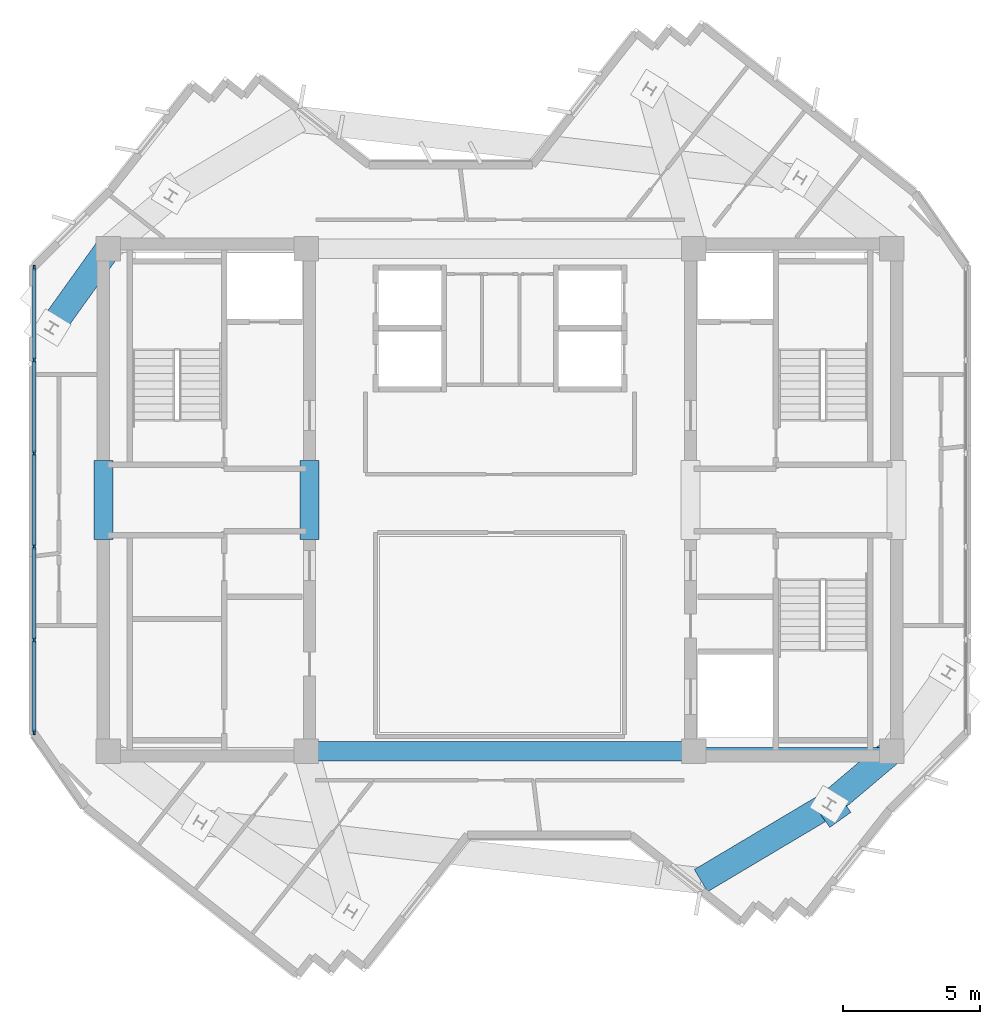
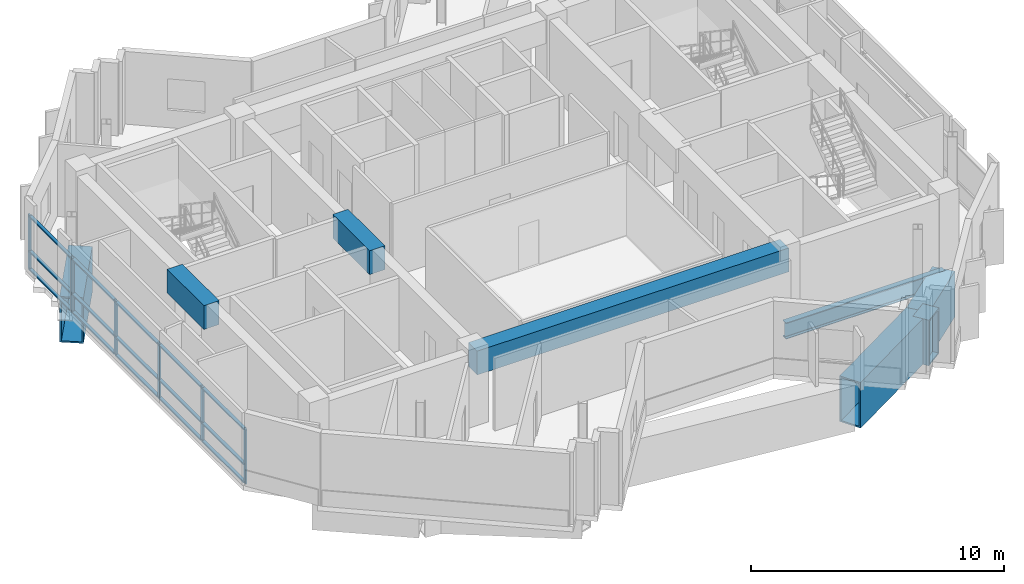
# One storey, part 2 of 10: 21 members, 8 beams, 1 element without a shape of its own.
"""IFC4 building model written with IfcOpenShell, lengths in metres."""

from ifc_helpers import new_model, si_unit, direction, frame, origin, origin_2d, place, context, subcontext, project, spatial, rectangle, hollow_rectangle, i_section, extrude, source, transform, mapped, material, layer, layer_set, material_profile, profile_set, type_object, element, aggregate, save


model = new_model("IFC4")

# Units and contexts
model_context = context("Model", 3, precision=1e-05, world=origin(), true_north=direction((0.0, 1.0)))
body_context = subcontext(model_context, "Body", "Model", "MODEL_VIEW")
ifc_project = project(units=[si_unit("LENGTHUNIT", "METRE"), si_unit("AREAUNIT", "SQUARE_METRE"), si_unit("VOLUMEUNIT", "CUBIC_METRE"), si_unit("PLANEANGLEUNIT", "RADIAN"), si_unit("MASSUNIT", "GRAM", prefix="KILO")], contexts=[model_context])

# Site, building, storey
site_placement = place(None, origin())
site = spatial("IfcSite", under=ifc_project, at=site_placement, CompositionType="ELEMENT")
building_placement = place(site_placement, origin())
building = spatial("IfcBuilding", under=site, at=building_placement, Name="Zahravan Cultural Tower", CompositionType="ELEMENT")
storey_placement = place(building_placement, frame((0.0, 0.0, 319.800048828125)))
storey = spatial("IfcBuildingStorey", under=building, at=storey_placement, Name="L77", CompositionType="ELEMENT", Elevation=319.800048828125)

# Beams
ifc_material_1 = material(Name="Concrete C50/60", Category="concrete")
ifc_material_profile_1 = material_profile(ifc_material_1, rectangle(XDim=0.699951171875, YDim=1.14990234375, at=origin_2d()), Name="RC700X1150")
ifc_profile_set_1 = profile_set([ifc_material_profile_1], Name="Concrete C50/60")
beam_type_1 = type_object("IfcBeamType", Name="BM-LN-RC700X1150", PredefinedType="LINTEL", material=ifc_profile_set_1)
shared_shape_1 = source(origin(), body_context, "Body", "SweptSolid", [
    extrude(rectangle(XDim=0.699951171875, YDim=1.14990234375, at=origin_2d()), origin(), (0.0, 0.0, 1.0), 14.2001953125),
])
beam_1_placement = place(storey_placement, frame((28.89990234375, 17.800048828125, 2.925048828125), z_axis=(1.0, 0.0, 0.0), x_axis=(0.0, 1.0, 0.0)))
element("IfcBeam", 1, at=beam_1_placement, inside=storey, type_object=beam_type_1, Name="L77 Beam LN-L77-S", PredefinedType="LINTEL", context=body_context, shape_type="MappedRepresentation", body=[
    mapped(shared_shape_1, transform((0.0, 0.0, 0.0), x_axis=(1.0, 0.0, 0.0), y_axis=(0.0, 1.0, 0.0), z_axis=(0.0, 0.0, 1.0), scale=1.0)),
])
shared_shape_2 = source(origin(), body_context, "Body", "SweptSolid", [
    extrude(rectangle(XDim=0.699951171875, YDim=1.14990234375, at=origin_2d()), origin(), (0.0, 0.0, 1.0), 2.89990234375),
])
for number, where, z_axis, x_axis, name in (
    (2, (21.47509765625, 25.550048828125, 2.925048828125), (0.0, 1.0, 0.0), (-1.0, 0.0, 0.0), "L77 Beam LN-L77-PWW"),
    (3, (29.02490234375, 25.550048828125, 2.925048828125), (0.0, 1.0, 0.0), (-1.0, 0.0, 0.0), "L77 Beam LN-L77-PWE"),
):
    element("IfcBeam", number, at=place(storey_placement, frame(where, z_axis=z_axis, x_axis=x_axis)), inside=storey, type_object=beam_type_1, Name=name, PredefinedType="LINTEL", context=body_context, shape_type="MappedRepresentation", body=[
        mapped(shared_shape_2, transform((0.0, 0.0, 0.0), x_axis=(1.0, 0.0, 0.0), y_axis=(0.0, 1.0, 0.0), z_axis=(0.0, 0.0, 1.0), scale=1.0)),
    ])
ifc_material_2 = material(Name="Steel ASTM A992 Grade 50", Category="steel")
ifc_material_profile_2 = material_profile(ifc_material_2, i_section(OverallWidth=0.26611328125, OverallDepth=0.780029296875, WebThickness=0.0166015625, FlangeThickness=0.030029296875, FilletRadius=0.01904296875, at=origin_2d()), Name="W30X148")
ifc_profile_set_2 = profile_set([ifc_material_profile_2], Name="Steel ASTM A992 Grade 50")
beam_type_2 = type_object("IfcBeamType", Name="BM-G-W30X148", PredefinedType="BEAM", material=ifc_profile_set_2)
shared_shape_3 = source(origin(), body_context, "Body", "SweptSolid", [
    extrude(i_section(OverallWidth=0.26611328125, OverallDepth=0.780029296875, WebThickness=0.0166015625, FlangeThickness=0.030029296875, FilletRadius=0.01904296875, at=origin_2d()), origin(), (0.0, 0.0, 1.0), 7.25),
])
beam_2_placement = place(storey_placement, frame((43.10009765625, 17.800048828125, -0.64013671875), z_axis=(1.0, 0.0, 0.0), x_axis=(0.0, 1.0, 0.0)))
element("IfcBeam", 4, at=beam_2_placement, inside=storey, type_object=beam_type_2, Name="L77 Beam BG-L77-04", PredefinedType="BEAM", context=body_context, shape_type="MappedRepresentation", body=[
    mapped(shared_shape_3, transform((0.0, 0.0, 0.0), x_axis=(1.0, 0.0, 0.0), y_axis=(0.0, 1.0, 0.0), z_axis=(0.0, 0.0, 1.0), scale=1.0)),
])
ifc_material_3 = material(Name="Steel ASTM A572 Grade 50", Category="steel")
ifc_material_profile_3 = material_profile(ifc_material_3, hollow_rectangle(XDim=0.949951171875, YDim=2.199951171875, WallThickness=0.070068359375, at=origin_2d()), Name="BOX2200X950X70")
ifc_profile_set_3 = profile_set([ifc_material_profile_3], Name="Steel ASTM A572 Grade 50")
beam_type_3 = type_object("IfcBeamType", Name="BM-TR-BOX2200", PredefinedType="BEAM", material=ifc_profile_set_3)
shared_shape_4 = source(origin(), body_context, "Body", "SweptSolid", [
    extrude(hollow_rectangle(XDim=0.949951171875, YDim=2.199951171875, WallThickness=0.070068359375, at=origin_2d()), origin(), (0.0, 0.0, 1.0), 3.00537109375),
])
beam_3_placement = place(storey_placement, frame((50.35009765625, 17.800048828125, -1.35009765625), z_axis=(-0.763546494847, -0.645752855361, 0.0), x_axis=(0.645752855361, -0.763546494847, 0.0)))
element("IfcBeam", 5, at=beam_3_placement, inside=storey, type_object=beam_type_3, Name="L77 Beam TB-L77-13", PredefinedType="BEAM", context=body_context, shape_type="MappedRepresentation", body=[
    mapped(shared_shape_4, transform((0.0, 0.0, 0.0), x_axis=(1.0, 0.0, 0.0), y_axis=(0.0, 1.0, 0.0), z_axis=(0.0, 0.0, 1.0), scale=1.0)),
])
shared_shape_5 = source(origin(), body_context, "Body", "SweptSolid", [
    extrude(hollow_rectangle(XDim=0.949951171875, YDim=2.199951171875, WallThickness=0.070068359375, at=origin_2d()), origin(), (0.0, 0.0, 1.0), 0.701171875),
])
beam_4_placement = place(storey_placement, frame((48.055419921875, 15.859375, -1.35009765625), z_axis=(0.582192994822, -0.81305062375, 0.0), x_axis=(0.81305062375, 0.582192994822, 0.0)))
element("IfcBeam", 6, at=beam_4_placement, inside=storey, type_object=beam_type_3, Name="L77 Beam TB-L77-14", PredefinedType="BEAM", context=body_context, shape_type="MappedRepresentation", body=[
    mapped(shared_shape_5, transform((0.0, 0.0, 0.0), x_axis=(1.0, 0.0, 0.0), y_axis=(0.0, 1.0, 0.0), z_axis=(0.0, 0.0, 1.0), scale=1.0)),
])
shared_shape_6 = source(origin(), body_context, "Body", "SweptSolid", [
    extrude(hollow_rectangle(XDim=0.949951171875, YDim=2.199951171875, WallThickness=0.070068359375, at=origin_2d()), origin(), (0.0, 0.0, 1.0), 5.46728515625),
])
beam_5_placement = place(storey_placement, frame((48.055419921875, 15.859375, -1.35009765625), z_axis=(-0.859276528913, -0.511511336003, 0.0), x_axis=(0.511511336003, -0.859276528913, 0.0)))
element("IfcBeam", 7, at=beam_5_placement, inside=storey, type_object=beam_type_3, Name="L77 Beam TB-L77-15", PredefinedType="BEAM", context=body_context, shape_type="MappedRepresentation", body=[
    mapped(shared_shape_6, transform((0.0, 0.0, 0.0), x_axis=(1.0, 0.0, 0.0), y_axis=(0.0, 1.0, 0.0), z_axis=(0.0, 0.0, 1.0), scale=1.0)),
])
shared_shape_7 = source(origin(), body_context, "Body", "SweptSolid", [
    extrude(hollow_rectangle(XDim=0.949951171875, YDim=2.199951171875, WallThickness=0.070068359375, at=origin_2d()), origin(), (0.0, 0.0, 1.0), 3.5556640625),
])
beam_6_placement = place(storey_placement, frame((21.64990234375, 36.199951171875, -1.35009765625), z_axis=(-0.58288028137, -0.812558045674, 0.0), x_axis=(0.812558045674, -0.58288028137, 0.0)))
element("IfcBeam", 8, at=beam_6_placement, inside=storey, type_object=beam_type_3, Name="L77 Beam TB-L77-27", PredefinedType="BEAM", context=body_context, shape_type="MappedRepresentation", body=[
    mapped(shared_shape_7, transform((0.0, 0.0, 0.0), x_axis=(1.0, 0.0, 0.0), y_axis=(0.0, 1.0, 0.0), z_axis=(0.0, 0.0, 1.0), scale=1.0)),
])

# Curtain wall, members
ifc_material_4 = material(Name="Anodised bronze-aluminium mullion", Category="aluminium")
ifc_layer = layer(ifc_material_4, 0.179931640625)
ifc_layer_set = layer_set([ifc_layer], Name="Anodised bronze-aluminium mullion")
curtain_wall_type = type_object("IfcCurtainWallType", Name="CW-SYS-3", PredefinedType="USERDEFINED", material=ifc_layer_set)
curtain_wall_placement = place(storey_placement, origin())
curtain_wall = element("IfcCurtainWall", 9, at=curtain_wall_placement, inside=storey, type_object=curtain_wall_type, Name="L77 Recessed Curtain Wall CW-3.2", ObjectType="RECESSED GLAZING", PredefinedType="USERDEFINED")
ifc_material_profile_4 = material_profile(ifc_material_4, rectangle(XDim=0.070068359375, YDim=0.179931640625, at=origin_2d()), Name="AL-M70X180")
ifc_profile_set_4 = profile_set([ifc_material_profile_4], Name="Anodised bronze-aluminium mullion")
member_type_1 = type_object("IfcMemberType", Name="CWM-CW-3", PredefinedType="MULLION", material=ifc_profile_set_4)
shared_shape_8 = source(origin(), body_context, "Body", "SweptSolid", [
    extrude(rectangle(XDim=0.070068359375, YDim=0.179931640625, at=origin_2d()), origin(), (0.0, 0.0, 1.0), 2.619873046875),
])
member_1_placement = place(storey_placement, frame((18.93994140625, 18.492919921875, 0.0), z_axis=(0.0, 0.0, 1.0), x_axis=(-1.0, 0.0, 0.0)))
member_1 = element("IfcMember", 10, at=member_1_placement, type_object=member_type_1, Name="CW-3 mullion 1", PredefinedType="MULLION", context=body_context, shape_type="MappedRepresentation", body=[
    mapped(shared_shape_8, transform((0.0, 0.0, 0.0), x_axis=(1.0, 0.0, 0.0), y_axis=(0.0, 1.0, 0.0), z_axis=(0.0, 0.0, 1.0), scale=1.0)),
])
member_2_placement = place(storey_placement, frame((18.93994140625, 21.874755859375, 0.0), z_axis=(0.0, 0.0, 1.0), x_axis=(-1.0, 0.0, 0.0)))
member_2 = element("IfcMember", 11, at=member_2_placement, type_object=member_type_1, Name="CW-3 mullion 2", PredefinedType="MULLION", context=body_context, shape_type="MappedRepresentation", body=[
    mapped(shared_shape_8, transform((0.0, 0.0, 0.0), x_axis=(1.0, 0.0, 0.0), y_axis=(0.0, 1.0, 0.0), z_axis=(0.0, 0.0, 1.0), scale=1.0)),
])
member_3_placement = place(storey_placement, frame((18.93994140625, 25.29150390625, 0.0), z_axis=(0.0, 0.0, 1.0), x_axis=(-1.0, 0.0, 0.0)))
member_3 = element("IfcMember", 12, at=member_3_placement, type_object=member_type_1, Name="CW-3 mullion 3", PredefinedType="MULLION", context=body_context, shape_type="MappedRepresentation", body=[
    mapped(shared_shape_8, transform((0.0, 0.0, 0.0), x_axis=(1.0, 0.0, 0.0), y_axis=(0.0, 1.0, 0.0), z_axis=(0.0, 0.0, 1.0), scale=1.0)),
])
member_4_placement = place(storey_placement, frame((18.93994140625, 28.70849609375, 0.0), z_axis=(0.0, 0.0, 1.0), x_axis=(-1.0, 0.0, 0.0)))
member_4 = element("IfcMember", 13, at=member_4_placement, type_object=member_type_1, Name="CW-3 mullion 4", PredefinedType="MULLION", context=body_context, shape_type="MappedRepresentation", body=[
    mapped(shared_shape_8, transform((0.0, 0.0, 0.0), x_axis=(1.0, 0.0, 0.0), y_axis=(0.0, 1.0, 0.0), z_axis=(0.0, 0.0, 1.0), scale=1.0)),
])
member_5_placement = place(storey_placement, frame((18.93994140625, 32.125244140625, 0.0), z_axis=(0.0, 0.0, 1.0), x_axis=(-1.0, 0.0, 0.0)))
member_5 = element("IfcMember", 14, at=member_5_placement, type_object=member_type_1, Name="CW-3 mullion 5", PredefinedType="MULLION", context=body_context, shape_type="MappedRepresentation", body=[
    mapped(shared_shape_8, transform((0.0, 0.0, 0.0), x_axis=(1.0, 0.0, 0.0), y_axis=(0.0, 1.0, 0.0), z_axis=(0.0, 0.0, 1.0), scale=1.0)),
])
member_6_placement = place(storey_placement, frame((18.93994140625, 35.507080078125, 0.0), z_axis=(0.0, 0.0, 1.0), x_axis=(-1.0, 0.0, 0.0)))
member_6 = element("IfcMember", 15, at=member_6_placement, type_object=member_type_1, Name="CW-3 mullion 6", PredefinedType="MULLION", context=body_context, shape_type="MappedRepresentation", body=[
    mapped(shared_shape_8, transform((0.0, 0.0, 0.0), x_axis=(1.0, 0.0, 0.0), y_axis=(0.0, 1.0, 0.0), z_axis=(0.0, 0.0, 1.0), scale=1.0)),
])
ifc_material_profile_5 = material_profile(ifc_material_4, rectangle(XDim=0.139892578125, YDim=0.070068359375, at=origin_2d()), Name="AL-T70X140")
ifc_profile_set_5 = profile_set([ifc_material_profile_5], Name="Anodised bronze-aluminium mullion")
member_type_2 = type_object("IfcMemberType", Name="CWT-CW-3", PredefinedType="USERDEFINED", material=ifc_profile_set_5)
shared_shape_9 = source(origin(), body_context, "Body", "SweptSolid", [
    extrude(rectangle(XDim=0.139892578125, YDim=0.070068359375, at=origin_2d()), origin(), (0.0, 0.0, 1.0), 3.311767578125),
])
member_7_placement = place(storey_placement, frame((18.93994140625, 18.528076171875, 0.034912109375), z_axis=(0.0, 1.0, 0.0), x_axis=(-1.0, 0.0, 0.0)))
member_7 = element("IfcMember", 16, at=member_7_placement, type_object=member_type_2, Name="CW-3 transom 1.1", ObjectType="TRANSOM", PredefinedType="USERDEFINED", context=body_context, shape_type="MappedRepresentation", body=[
    mapped(shared_shape_9, transform((0.0, 0.0, 0.0), x_axis=(1.0, 0.0, 0.0), y_axis=(0.0, 1.0, 0.0), z_axis=(0.0, 0.0, 1.0), scale=1.0)),
])
member_8_placement = place(storey_placement, frame((18.93994140625, 18.528076171875, 0.89990234375), z_axis=(0.0, 1.0, 0.0), x_axis=(-1.0, 0.0, 0.0)))
member_8 = element("IfcMember", 17, at=member_8_placement, type_object=member_type_2, Name="CW-3 transom 1.2", ObjectType="TRANSOM", PredefinedType="USERDEFINED", context=body_context, shape_type="MappedRepresentation", body=[
    mapped(shared_shape_9, transform((0.0, 0.0, 0.0), x_axis=(1.0, 0.0, 0.0), y_axis=(0.0, 1.0, 0.0), z_axis=(0.0, 0.0, 1.0), scale=1.0)),
])
member_9_placement = place(storey_placement, frame((18.93994140625, 18.528076171875, 2.5849609375), z_axis=(0.0, 1.0, 0.0), x_axis=(-1.0, 0.0, 0.0)))
member_9 = element("IfcMember", 18, at=member_9_placement, type_object=member_type_2, Name="CW-3 transom 1.3", ObjectType="TRANSOM", PredefinedType="USERDEFINED", context=body_context, shape_type="MappedRepresentation", body=[
    mapped(shared_shape_9, transform((0.0, 0.0, 0.0), x_axis=(1.0, 0.0, 0.0), y_axis=(0.0, 1.0, 0.0), z_axis=(0.0, 0.0, 1.0), scale=1.0)),
])
member_10_placement = place(storey_placement, frame((18.93994140625, 32.16015625, 0.034912109375), z_axis=(0.0, 1.0, 0.0), x_axis=(-1.0, 0.0, 0.0)))
member_10 = element("IfcMember", 19, at=member_10_placement, type_object=member_type_2, Name="CW-3 transom 5.1", ObjectType="TRANSOM", PredefinedType="USERDEFINED", context=body_context, shape_type="MappedRepresentation", body=[
    mapped(shared_shape_9, transform((0.0, 0.0, 0.0), x_axis=(1.0, 0.0, 0.0), y_axis=(0.0, 1.0, 0.0), z_axis=(0.0, 0.0, 1.0), scale=1.0)),
])
member_11_placement = place(storey_placement, frame((18.93994140625, 32.16015625, 0.89990234375), z_axis=(0.0, 1.0, 0.0), x_axis=(-1.0, 0.0, 0.0)))
member_11 = element("IfcMember", 20, at=member_11_placement, type_object=member_type_2, Name="CW-3 transom 5.2", ObjectType="TRANSOM", PredefinedType="USERDEFINED", context=body_context, shape_type="MappedRepresentation", body=[
    mapped(shared_shape_9, transform((0.0, 0.0, 0.0), x_axis=(1.0, 0.0, 0.0), y_axis=(0.0, 1.0, 0.0), z_axis=(0.0, 0.0, 1.0), scale=1.0)),
])
member_12_placement = place(storey_placement, frame((18.93994140625, 32.16015625, 2.5849609375), z_axis=(0.0, 1.0, 0.0), x_axis=(-1.0, 0.0, 0.0)))
member_12 = element("IfcMember", 21, at=member_12_placement, type_object=member_type_2, Name="CW-3 transom 5.3", ObjectType="TRANSOM", PredefinedType="USERDEFINED", context=body_context, shape_type="MappedRepresentation", body=[
    mapped(shared_shape_9, transform((0.0, 0.0, 0.0), x_axis=(1.0, 0.0, 0.0), y_axis=(0.0, 1.0, 0.0), z_axis=(0.0, 0.0, 1.0), scale=1.0)),
])
shared_shape_10 = source(origin(), body_context, "Body", "SweptSolid", [
    extrude(rectangle(XDim=0.139892578125, YDim=0.070068359375, at=origin_2d()), origin(), (0.0, 0.0, 1.0), 3.3466796875),
])
member_13_placement = place(storey_placement, frame((18.93994140625, 21.909912109375, 0.034912109375), z_axis=(0.0, 1.0, 0.0), x_axis=(-1.0, 0.0, 0.0)))
member_13 = element("IfcMember", 22, at=member_13_placement, type_object=member_type_2, Name="CW-3 transom 2.1", ObjectType="TRANSOM", PredefinedType="USERDEFINED", context=body_context, shape_type="MappedRepresentation", body=[
    mapped(shared_shape_10, transform((0.0, 0.0, 0.0), x_axis=(1.0, 0.0, 0.0), y_axis=(0.0, 1.0, 0.0), z_axis=(0.0, 0.0, 1.0), scale=1.0)),
])
member_14_placement = place(storey_placement, frame((18.93994140625, 21.909912109375, 0.89990234375), z_axis=(0.0, 1.0, 0.0), x_axis=(-1.0, 0.0, 0.0)))
member_14 = element("IfcMember", 23, at=member_14_placement, type_object=member_type_2, Name="CW-3 transom 2.2", ObjectType="TRANSOM", PredefinedType="USERDEFINED", context=body_context, shape_type="MappedRepresentation", body=[
    mapped(shared_shape_10, transform((0.0, 0.0, 0.0), x_axis=(1.0, 0.0, 0.0), y_axis=(0.0, 1.0, 0.0), z_axis=(0.0, 0.0, 1.0), scale=1.0)),
])
member_15_placement = place(storey_placement, frame((18.93994140625, 21.909912109375, 2.5849609375), z_axis=(0.0, 1.0, 0.0), x_axis=(-1.0, 0.0, 0.0)))
member_15 = element("IfcMember", 24, at=member_15_placement, type_object=member_type_2, Name="CW-3 transom 2.3", ObjectType="TRANSOM", PredefinedType="USERDEFINED", context=body_context, shape_type="MappedRepresentation", body=[
    mapped(shared_shape_10, transform((0.0, 0.0, 0.0), x_axis=(1.0, 0.0, 0.0), y_axis=(0.0, 1.0, 0.0), z_axis=(0.0, 0.0, 1.0), scale=1.0)),
])
member_16_placement = place(storey_placement, frame((18.93994140625, 25.32666015625, 0.034912109375), z_axis=(0.0, 1.0, 0.0), x_axis=(-1.0, 0.0, 0.0)))
member_16 = element("IfcMember", 25, at=member_16_placement, type_object=member_type_2, Name="CW-3 transom 3.1", ObjectType="TRANSOM", PredefinedType="USERDEFINED", context=body_context, shape_type="MappedRepresentation", body=[
    mapped(shared_shape_10, transform((0.0, 0.0, 0.0), x_axis=(1.0, 0.0, 0.0), y_axis=(0.0, 1.0, 0.0), z_axis=(0.0, 0.0, 1.0), scale=1.0)),
])
member_17_placement = place(storey_placement, frame((18.93994140625, 25.32666015625, 0.89990234375), z_axis=(0.0, 1.0, 0.0), x_axis=(-1.0, 0.0, 0.0)))
member_17 = element("IfcMember", 26, at=member_17_placement, type_object=member_type_2, Name="CW-3 transom 3.2", ObjectType="TRANSOM", PredefinedType="USERDEFINED", context=body_context, shape_type="MappedRepresentation", body=[
    mapped(shared_shape_10, transform((0.0, 0.0, 0.0), x_axis=(1.0, 0.0, 0.0), y_axis=(0.0, 1.0, 0.0), z_axis=(0.0, 0.0, 1.0), scale=1.0)),
])
member_18_placement = place(storey_placement, frame((18.93994140625, 25.32666015625, 2.5849609375), z_axis=(0.0, 1.0, 0.0), x_axis=(-1.0, 0.0, 0.0)))
member_18 = element("IfcMember", 27, at=member_18_placement, type_object=member_type_2, Name="CW-3 transom 3.3", ObjectType="TRANSOM", PredefinedType="USERDEFINED", context=body_context, shape_type="MappedRepresentation", body=[
    mapped(shared_shape_10, transform((0.0, 0.0, 0.0), x_axis=(1.0, 0.0, 0.0), y_axis=(0.0, 1.0, 0.0), z_axis=(0.0, 0.0, 1.0), scale=1.0)),
])
member_19_placement = place(storey_placement, frame((18.93994140625, 28.743408203125, 0.034912109375), z_axis=(0.0, 1.0, 0.0), x_axis=(-1.0, 0.0, 0.0)))
member_19 = element("IfcMember", 28, at=member_19_placement, type_object=member_type_2, Name="CW-3 transom 4.1", ObjectType="TRANSOM", PredefinedType="USERDEFINED", context=body_context, shape_type="MappedRepresentation", body=[
    mapped(shared_shape_10, transform((0.0, 0.0, 0.0), x_axis=(1.0, 0.0, 0.0), y_axis=(0.0, 1.0, 0.0), z_axis=(0.0, 0.0, 1.0), scale=1.0)),
])
member_20_placement = place(storey_placement, frame((18.93994140625, 28.743408203125, 0.89990234375), z_axis=(0.0, 1.0, 0.0), x_axis=(-1.0, 0.0, 0.0)))
member_20 = element("IfcMember", 29, at=member_20_placement, type_object=member_type_2, Name="CW-3 transom 4.2", ObjectType="TRANSOM", PredefinedType="USERDEFINED", context=body_context, shape_type="MappedRepresentation", body=[
    mapped(shared_shape_10, transform((0.0, 0.0, 0.0), x_axis=(1.0, 0.0, 0.0), y_axis=(0.0, 1.0, 0.0), z_axis=(0.0, 0.0, 1.0), scale=1.0)),
])
member_21_placement = place(storey_placement, frame((18.93994140625, 28.743408203125, 2.5849609375), z_axis=(0.0, 1.0, 0.0), x_axis=(-1.0, 0.0, 0.0)))
member_21 = element("IfcMember", 30, at=member_21_placement, type_object=member_type_2, Name="CW-3 transom 4.3", ObjectType="TRANSOM", PredefinedType="USERDEFINED", context=body_context, shape_type="MappedRepresentation", body=[
    mapped(shared_shape_10, transform((0.0, 0.0, 0.0), x_axis=(1.0, 0.0, 0.0), y_axis=(0.0, 1.0, 0.0), z_axis=(0.0, 0.0, 1.0), scale=1.0)),
])
aggregate(curtain_wall, [member_1, member_2, member_3, member_4, member_5, member_6, member_7, member_8, member_9, member_13, member_14, member_15, member_16, member_17, member_18, member_19, member_20, member_21, member_10, member_11, member_12])

save(model, "model.ifc")
